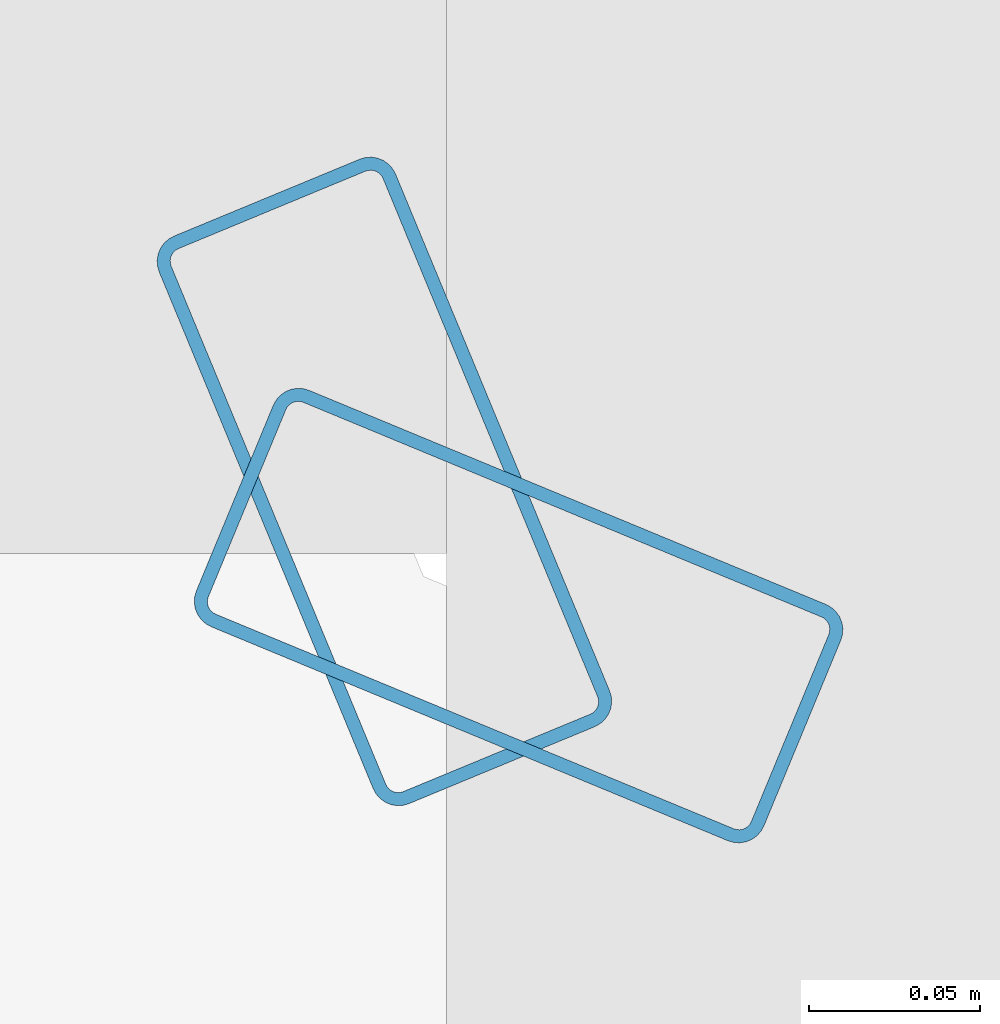
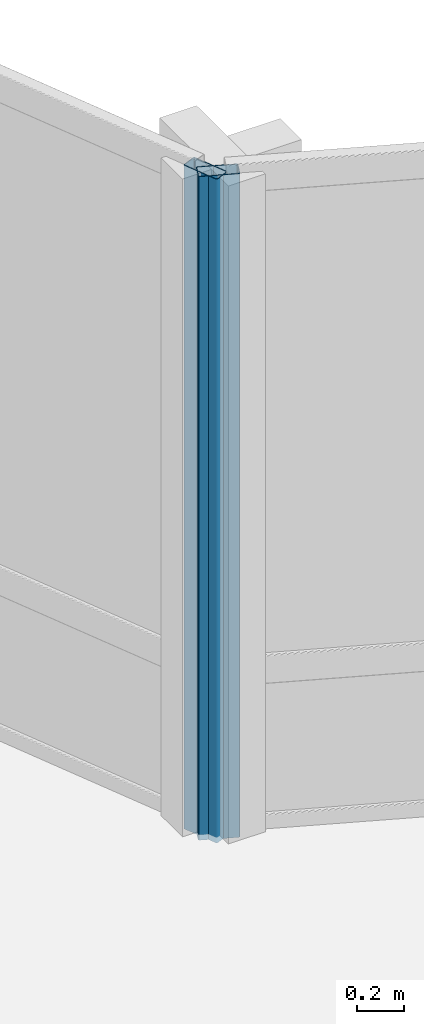
# One storey, part 8 of 34: 2 members, 2 elements without a shape of their own.
"""IFC4 building model written with IfcOpenShell, lengths in metres."""

from ifc_helpers import new_model, si_unit, direction, frame, origin, origin_2d, place, context, subcontext, project, spatial, hollow_rectangle, extrude, material, layer, layer_set, material_profile, profile_set, type_object, element, aggregate, save


model = new_model("IFC4")

# Units and contexts
model_context = context("Model", 3, precision=1e-05, world=origin(), true_north=direction((0.0, 1.0)))
body_context = subcontext(model_context, "Body", "Model", "MODEL_VIEW")
ifc_project = project(units=[si_unit("LENGTHUNIT", "METRE"), si_unit("AREAUNIT", "SQUARE_METRE"), si_unit("VOLUMEUNIT", "CUBIC_METRE"), si_unit("PLANEANGLEUNIT", "RADIAN"), si_unit("MASSUNIT", "GRAM", prefix="KILO")], contexts=[model_context])

# Site, building, storey
site_placement = place(None, origin())
site = spatial("IfcSite", under=ifc_project, at=site_placement, CompositionType="ELEMENT")
building_placement = place(site_placement, origin())
building = spatial("IfcBuilding", under=site, at=building_placement, Name="Solvaryn Broadcast Tower", CompositionType="ELEMENT")
storey_placement = place(building_placement, frame((0.0, 0.0, 69.300048828125)))
storey = spatial("IfcBuildingStorey", under=building, at=storey_placement, Name="L16", CompositionType="ELEMENT", Elevation=69.300048828125)

# Curtain wall, member
ifc_material_1 = material(Name="Aluminium and Terracotta Unitised Curtain Wall", Category="masonry")
ifc_layer = layer(ifc_material_1, 0.199951171875)
ifc_layer_set = layer_set([ifc_layer], Name="CW-SYS2-LOWMID")
curtain_wall_type = type_object("IfcCurtainWallType", Name="CW-SYS2-LOWMID", PredefinedType="NOTDEFINED", material=ifc_layer_set)
curtain_wall_1_placement = place(storey_placement, origin())
curtain_wall_1 = element("IfcCurtainWall", 1, at=curtain_wall_1_placement, inside=storey, type_object=curtain_wall_type, Name="L16 Curtain Wall CN1", PredefinedType="NOTDEFINED")
ifc_material_2 = material(Name="Anodised Aluminium 6063-T6", Category="aluminium")
ifc_material_profile = material_profile(ifc_material_2, hollow_rectangle(XDim=0.074951171875, YDim=0.179931640625, WallThickness=0.00390625, InnerFilletRadius=0.00390625, OuterFilletRadius=0.008056640625, at=origin_2d()))
ifc_profile_set = profile_set([ifc_material_profile], Name="Anodised Aluminium 6063-T6")
member_type = type_object("IfcMemberType", Name="CW-MUL-180", PredefinedType="MULLION", material=ifc_profile_set)
member_1_placement = place(storey_placement, frame((30.395751953125, 30.3564453125, 0.0), z_axis=(0.0, 0.0, 1.0), x_axis=(-0.382646127145, -0.923894983957, 0.0)))
member_1 = element("IfcMember", 2, at=member_1_placement, type_object=member_type, Name="CWS2 mullion 2", PredefinedType="MULLION", context=body_context, shape_type="SweptSolid", body=[
    extrude(hollow_rectangle(XDim=0.074951171875, YDim=0.179931640625, WallThickness=0.00390625, InnerFilletRadius=0.00390625, OuterFilletRadius=0.008056640625, at=origin_2d()), origin(), (0.0, 0.0, 1.0), 3.419921875),
])
aggregate(curtain_wall_1, [member_1])

curtain_wall_2_placement = place(storey_placement, origin())
curtain_wall_2 = element("IfcCurtainWall", 3, at=curtain_wall_2_placement, inside=storey, type_object=curtain_wall_type, Name="L16 Curtain Wall CN2", PredefinedType="NOTDEFINED")
member_2_placement = place(storey_placement, frame((30.3564453125, 30.395751953125, 0.0), z_axis=(0.0, 0.0, 1.0), x_axis=(-0.923894983957, -0.382646127145, 0.0)))
member_2 = element("IfcMember", 4, at=member_2_placement, type_object=member_type, Name="CWS2 mullion 1", PredefinedType="MULLION", context=body_context, shape_type="SweptSolid", body=[
    extrude(hollow_rectangle(XDim=0.074951171875, YDim=0.179931640625, WallThickness=0.00390625, InnerFilletRadius=0.00390625, OuterFilletRadius=0.008056640625, at=origin_2d()), origin(), (0.0, 0.0, 1.0), 3.419921875),
])
aggregate(curtain_wall_2, [member_2])

save(model, "model.ifc")
